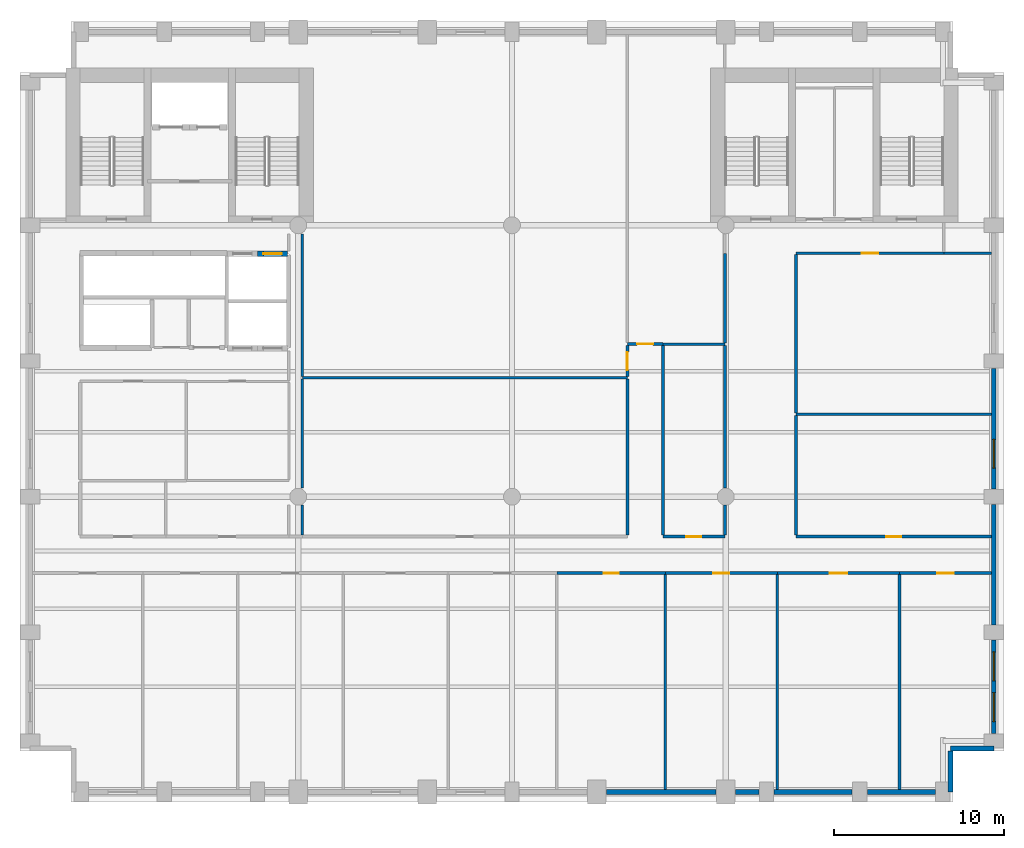
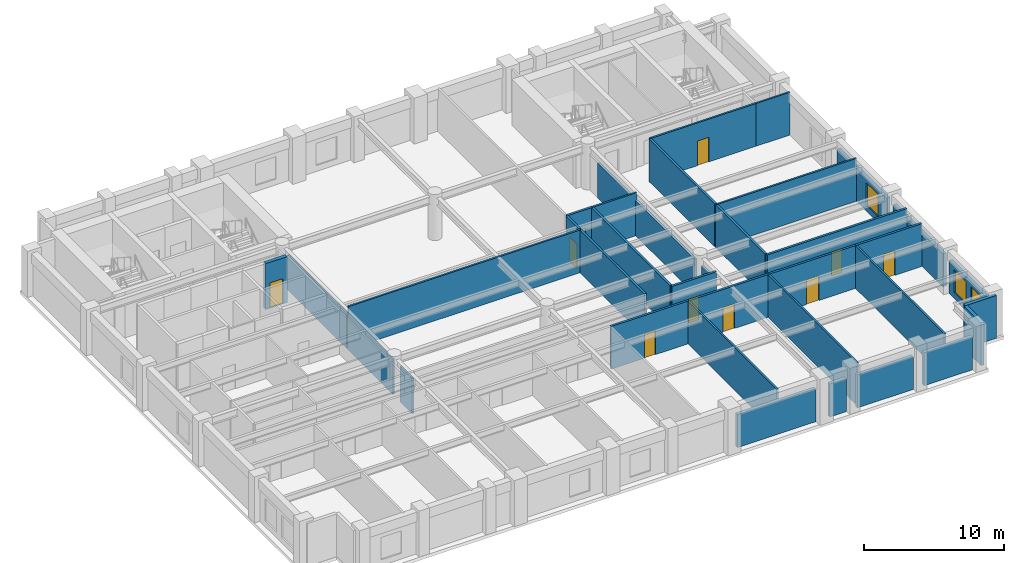
# One storey, part 4 of 8: 36 walls, 10 doors, 3 windows, 13 openings.
"""IFC4 building model written with IfcOpenShell, lengths in metres."""

from ifc_helpers import new_model, si_unit, direction, frame, frame_2d, origin, place, context, subcontext, project, spatial, rectangle, extrude, material, layer, layer_set, type_object, element, fill, save


model = new_model("IFC4")

# Units and contexts
model_context = context("Model", 3, precision=1e-05, world=origin(), true_north=direction((0.0, 1.0)))
body_context = subcontext(model_context, "Body", "Model", "MODEL_VIEW")
ifc_project = project(units=[si_unit("LENGTHUNIT", "METRE"), si_unit("AREAUNIT", "SQUARE_METRE"), si_unit("VOLUMEUNIT", "CUBIC_METRE"), si_unit("PLANEANGLEUNIT", "RADIAN"), si_unit("MASSUNIT", "GRAM", prefix="KILO")], contexts=[model_context])

# Site, building, storey
site_placement = place(None, origin())
site = spatial("IfcSite", under=ifc_project, at=site_placement, CompositionType="ELEMENT")
building_placement = place(site_placement, origin())
building = spatial("IfcBuilding", under=site, at=building_placement, Name="Sulina Concourse Tower", CompositionType="ELEMENT")
storey_placement = place(building_placement, frame((0.0, 0.0, 152.60009765625)))
storey = spatial("IfcBuildingStorey", under=building, at=storey_placement, Name="L37", CompositionType="ELEMENT", Elevation=152.60009765625)

# Wall, opening, door
ifc_material_1 = material(Name="Concrete C50/60", Category="concrete")
ifc_layer_1 = layer(ifc_material_1, 0.300048828125)
ifc_layer_set_1 = layer_set([ifc_layer_1], Name="Concrete C50/60")
wall_type_1 = type_object("IfcWallType", Name="Core Lift Hoistway Wall 300mm", PredefinedType="SOLIDWALL", material=ifc_layer_set_1)
wall_1_placement = place(storey_placement, frame((14.0, 32.320068359375, 0.0), z_axis=(0.0, 0.0, 1.0), x_axis=(1.0, 0.0, 0.0)))
wall_1 = element("IfcWall", 1, at=wall_1_placement, inside=storey, type_object=wall_type_1, Name="L37 hoistway enclosure wall LP-08", PredefinedType="SOLIDWALL", context=body_context, shape_type="SweptSolid", body=[
    extrude(rectangle(XDim=1.780029296875, YDim=0.300048828125, at=frame_2d((0.89013671875, 0.0))), origin(), (0.0, 0.0, 1.0), 4.0),
])
opening_1_placement = place(wall_1_placement, frame((0.340087890625, 0.0, 0.0)))
opening_1 = element("IfcOpeningElement", 2, at=opening_1_placement, cuts=wall_1, Name="Opening LD-01", PredefinedType="OPENING", context=body_context, shape_type="SweptSolid", body=[
    extrude(rectangle(XDim=1.10009765625, YDim=2.199951171875, at=frame_2d((0.550048828125, 1.10009765625))), frame((0.0, 0.159912109375, 0.0), z_axis=(0.0, -1.0, 0.0), x_axis=(1.0, 0.0, 0.0)), (0.0, 0.0, 1.0), 0.320068359375),
])
ifc_material_2 = material(Name="Stainless steel lift landing door", Category="steel")
ifc_layer_2 = layer(ifc_material_2, 0.050048828125)
ifc_layer_set_2 = layer_set([ifc_layer_2], Name="Stainless steel lift landing door")
door_type_1 = type_object("IfcDoorType", Name="Passenger Lift Sliding Landing Door 1100x2200", OperationType="SLIDING_TO_LEFT", PredefinedType="DOOR", material=ifc_layer_set_2)
door_1_placement = place(opening_1_placement, origin())
door_1 = element("IfcDoor", 3, at=door_1_placement, inside=storey, type_object=door_type_1, Name="L37 lift landing sliding door LP-08", OperationType="SLIDING_TO_RIGHT", OverallHeight=2.199951171875, OverallWidth=1.10009765625, PredefinedType="DOOR", context=body_context, shape_type="SweptSolid", body=[
    extrude(rectangle(XDim=1.10009765625, YDim=2.199951171875, at=frame_2d((0.550048828125, 1.10009765625))), frame((0.0, 0.02490234375, 0.0), z_axis=(0.0, -1.0, 0.0), x_axis=(1.0, 0.0, 0.0)), (0.0, 0.0, 1.0), 0.050048828125),
])
fill(opening_1, door_1)

# Walls
ifc_material_3 = material(Name="Gypsum board on steel stud", Category="steel")
ifc_layer_3 = layer(ifc_material_3, 0.14990234375)
ifc_layer_set_3 = layer_set([ifc_layer_3], Name="Gypsum board on steel stud")
wall_type_2 = type_object("IfcWallType", Name="Inter-Tenancy Acoustic Partition 150mm", PredefinedType="PARTITIONING", material=ifc_layer_set_3)
wall_2_placement = place(storey_placement, frame((45.75, 22.85009765625, 0.0), z_axis=(0.0, 0.0, 1.0), x_axis=(1.0, 0.0, 0.0)))
element("IfcWall", 4, at=wall_2_placement, inside=storey, type_object=wall_type_2, Name="L37 interior partition 019", PredefinedType="PARTITIONING", context=body_context, shape_type="SweptSolid", body=[
    extrude(rectangle(XDim=11.510009765625, YDim=0.14990234375, at=frame_2d((5.7548828125, 0.0))), origin(), (0.0, 0.0, 1.0), 3.724853515625),
])
wall_3_placement = place(storey_placement, frame((16.64990234375, 25.0, 0.0), z_axis=(0.0, 0.0, 1.0), x_axis=(1.0, 0.0, 0.0)))
element("IfcWall", 5, at=wall_3_placement, inside=storey, type_object=wall_type_2, Name="L37 interior partition 022", PredefinedType="PARTITIONING", context=body_context, shape_type="SweptSolid", body=[
    extrude(rectangle(XDim=19.150146484375, YDim=0.14990234375, at=frame_2d((9.5751953125, 0.0))), origin(), (0.0, 0.0, 1.0), 3.724853515625),
])
wall_4_placement = place(storey_placement, frame((37.89990234375, 27.0, 0.0), z_axis=(0.0, 0.0, 1.0), x_axis=(1.0, 0.0, 0.0)))
element("IfcWall", 6, at=wall_4_placement, inside=storey, type_object=wall_type_2, Name="L37 interior partition 026", PredefinedType="PARTITIONING", context=body_context, shape_type="SweptSolid", body=[
    extrude(rectangle(XDim=3.650146484375, YDim=0.14990234375, at=frame_2d((1.8251953125, 0.0))), origin(), (0.0, 0.0, 1.0), 3.724853515625),
])

# Wall, opening, door
wall_5_placement = place(storey_placement, frame((45.75, 32.35009765625, 0.0), z_axis=(0.0, 0.0, 1.0), x_axis=(1.0, 0.0, 0.0)))
wall_5 = element("IfcWall", 7, at=wall_5_placement, inside=storey, type_object=wall_type_2, Name="L37 interior partition 027", PredefinedType="PARTITIONING", context=body_context, shape_type="SweptSolid", body=[
    extrude(rectangle(XDim=8.699951171875, YDim=0.14990234375, at=frame_2d((4.35009765625, 0.0))), origin(), (0.0, 0.0, 1.0), 3.724853515625),
])
opening_2_placement = place(wall_5_placement, frame((3.875, 0.0, 0.0)))
opening_2 = element("IfcOpeningElement", 8, at=opening_2_placement, cuts=wall_5, Name="Opening DR-19", PredefinedType="OPENING", context=body_context, shape_type="SweptSolid", body=[
    extrude(rectangle(XDim=0.949951171875, YDim=2.14990234375, at=frame_2d((0.47509765625, 1.074951171875))), frame((0.0, 0.0849609375, 0.0), z_axis=(0.0, -1.0, 0.0), x_axis=(1.0, 0.0, 0.0)), (0.0, 0.0, 1.0), 0.169921875),
])
ifc_material_4 = material(Name="Oak-veneered acoustic timber leaf", Category="wood")
ifc_layer_4 = layer(ifc_material_4, 0.050048828125)
ifc_layer_set_4 = layer_set([ifc_layer_4], Name="Oak-veneered acoustic timber leaf")
door_type_2 = type_object("IfcDoorType", Name="Cellular Office & Meeting Door 950x2150", OperationType="NOTDEFINED", PredefinedType="DOOR", material=ifc_layer_set_4)
door_2_placement = place(opening_2_placement, origin())
door_2 = element("IfcDoor", 9, at=door_2_placement, inside=storey, type_object=door_type_2, Name="L37 interior door L37-NE2", OperationType="SINGLE_SWING_RIGHT", OverallHeight=2.14990234375, OverallWidth=0.949951171875, PredefinedType="DOOR", context=body_context, shape_type="SweptSolid", body=[
    extrude(rectangle(XDim=0.949951171875, YDim=2.14990234375, at=frame_2d((0.47509765625, 1.074951171875))), frame((0.0, 0.02490234375, 0.0), z_axis=(0.0, -1.0, 0.0), x_axis=(1.0, 0.0, 0.0)), (0.0, 0.0, 1.0), 0.050048828125),
])
fill(opening_2, door_2)

# Walls
wall_6_placement = place(storey_placement, frame((54.449951171875, 32.35009765625, 0.0), z_axis=(0.0, 0.0, 1.0), x_axis=(1.0, 0.0, 0.0)))
element("IfcWall", 10, at=wall_6_placement, inside=storey, type_object=wall_type_2, Name="L37 interior partition 028", PredefinedType="PARTITIONING", context=body_context, shape_type="SweptSolid", body=[
    extrude(rectangle(XDim=2.81005859375, YDim=0.14990234375, at=frame_2d((1.405029296875, 0.0))), origin(), (0.0, 0.0, 1.0), 3.724853515625),
])
wall_7_placement = place(storey_placement, frame((16.64990234375, 15.739990234375, 0.0), z_axis=(0.0, 0.0, 1.0), x_axis=(0.0, 1.0, 0.0)))
element("IfcWall", 11, at=wall_7_placement, inside=storey, type_object=wall_type_2, Name="L37 interior partition 043", PredefinedType="PARTITIONING", context=body_context, shape_type="SweptSolid", body=[
    extrude(rectangle(XDim=1.760009765625, YDim=0.14990234375, at=frame_2d((0.8798828125, 0.0))), origin(), (0.0, 0.0, 1.0), 3.06982421875),
])
wall_8_placement = place(storey_placement, frame((16.64990234375, 18.5, 0.0), z_axis=(0.0, 0.0, 1.0), x_axis=(0.0, 1.0, 0.0)))
element("IfcWall", 12, at=wall_8_placement, inside=storey, type_object=wall_type_2, Name="L37 interior partition 044", PredefinedType="PARTITIONING", context=body_context, shape_type="SweptSolid", body=[
    extrude(rectangle(XDim=6.425048828125, YDim=0.14990234375, at=frame_2d((3.21240234375, 0.0))), origin(), (0.0, 0.0, 1.0), 3.06982421875),
])
wall_9_placement = place(storey_placement, frame((16.64990234375, 25.074951171875, 0.0), z_axis=(0.0, 0.0, 1.0), x_axis=(0.0, 1.0, 0.0)))
element("IfcWall", 13, at=wall_9_placement, inside=storey, type_object=wall_type_2, Name="L37 interior partition 045", PredefinedType="PARTITIONING", context=body_context, shape_type="SweptSolid", body=[
    extrude(rectangle(XDim=8.425048828125, YDim=0.14990234375, at=frame_2d((4.21240234375, 0.0))), origin(), (0.0, 0.0, 1.0), 3.06982421875),
])
for number, where, z_axis, x_axis, name in (
    (14, (38.0400390625, 0.739990234375, 0.0), (0.0, 0.0, 1.0), (0.0, 1.0, 0.0), "L37 interior partition 053"),
    (15, (44.639892578125, 0.739990234375, 0.0), (0.0, 0.0, 1.0), (0.0, 1.0, 0.0), "L37 interior partition 059"),
    (16, (51.840087890625, 0.739990234375, 0.0), (0.0, 0.0, 1.0), (0.0, 1.0, 0.0), "L37 interior partition 063"),
):
    element("IfcWall", number, at=place(storey_placement, frame(where, z_axis=z_axis, x_axis=x_axis)), inside=storey, type_object=wall_type_2, Name=name, PredefinedType="PARTITIONING", context=body_context, shape_type="SweptSolid", body=[
        extrude(rectangle(XDim=12.669921875, YDim=0.14990234375, at=frame_2d((6.3349609375, 0.0))), origin(), (0.0, 0.0, 1.0), 3.724853515625),
    ])

# Wall, opening, door
ifc_material_5 = material(Name="Gypsum board on steel stud", Category="steel")
ifc_layer_5 = layer(ifc_material_5, 0.179931640625)
ifc_layer_set_5 = layer_set([ifc_layer_5], Name="Gypsum board on steel stud")
wall_type_3 = type_object("IfcWallType", Name="Protected Corridor & Riser Partition 180mm", PredefinedType="PARTITIONING", material=ifc_layer_set_5)
wall_10_placement = place(storey_placement, frame((31.639892578125, 13.5, 0.0), z_axis=(0.0, 0.0, 1.0), x_axis=(1.0, 0.0, 0.0)))
wall_10 = element("IfcWall", 17, at=wall_10_placement, inside=storey, type_object=wall_type_3, Name="L37 interior partition 006", PredefinedType="PARTITIONING", context=body_context, shape_type="SweptSolid", body=[
    extrude(rectangle(XDim=6.400146484375, YDim=0.179931640625, at=frame_2d((3.2001953125, 0.0))), origin(), (0.0, 0.0, 1.0), 3.724853515625),
])
opening_3_placement = place(wall_10_placement, frame((2.760009765625, 0.0, 0.0)))
opening_3 = element("IfcOpeningElement", 18, at=opening_3_placement, cuts=wall_10, Name="Opening DR-38", PredefinedType="OPENING", context=body_context, shape_type="SweptSolid", body=[
    extrude(rectangle(XDim=0.8798828125, YDim=2.10009765625, at=frame_2d((0.43994140625, 1.050048828125))), frame((0.0, 0.099853515625, 0.0), z_axis=(0.0, -1.0, 0.0), x_axis=(1.0, 0.0, 0.0)), (0.0, 0.0, 1.0), 0.199951171875),
])
ifc_material_6 = material(Name="Galvanised steel acoustic fire leaf", Category="steel")
ifc_layer_6 = layer(ifc_material_6, 0.050048828125)
ifc_layer_set_6 = layer_set([ifc_layer_6], Name="Galvanised steel acoustic fire leaf")
door_type_3 = type_object("IfcDoorType", Name="Service Riser Fire Door 880x2100", OperationType="NOTDEFINED", PredefinedType="DOOR", material=ifc_layer_set_6)
door_3_placement = place(opening_3_placement, origin())
door_3 = element("IfcDoor", 19, at=door_3_placement, inside=storey, type_object=door_type_3, Name="L37 interior door L37-S06", OperationType="SINGLE_SWING_LEFT", OverallHeight=2.10009765625, OverallWidth=0.8798828125, PredefinedType="DOOR", context=body_context, shape_type="SweptSolid", body=[
    extrude(rectangle(XDim=0.8798828125, YDim=2.10009765625, at=frame_2d((0.43994140625, 1.050048828125))), frame((0.0, 0.02490234375, 0.0), z_axis=(0.0, -1.0, 0.0), x_axis=(1.0, 0.0, 0.0)), (0.0, 0.0, 1.0), 0.050048828125),
])
fill(opening_3, door_3)

wall_11_placement = place(storey_placement, frame((38.0400390625, 13.5, 0.0), z_axis=(0.0, 0.0, 1.0), x_axis=(1.0, 0.0, 0.0)))
wall_11 = element("IfcWall", 20, at=wall_11_placement, inside=storey, type_object=wall_type_3, Name="L37 interior partition 007", PredefinedType="PARTITIONING", context=body_context, shape_type="SweptSolid", body=[
    extrude(rectangle(XDim=6.599853515625, YDim=0.179931640625, at=frame_2d((3.2998046875, 0.0))), origin(), (0.0, 0.0, 1.0), 3.724853515625),
])
opening_4_placement = place(wall_11_placement, frame((2.824951171875, 0.0, 0.0)))
opening_4 = element("IfcOpeningElement", 21, at=opening_4_placement, cuts=wall_11, Name="Opening DR-19", PredefinedType="OPENING", context=body_context, shape_type="SweptSolid", body=[
    extrude(rectangle(XDim=0.949951171875, YDim=2.14990234375, at=frame_2d((0.47509765625, 1.074951171875))), frame((0.0, 0.099853515625, 0.0), z_axis=(0.0, -1.0, 0.0), x_axis=(1.0, 0.0, 0.0)), (0.0, 0.0, 1.0), 0.199951171875),
])
door_4_placement = place(opening_4_placement, origin())
door_4 = element("IfcDoor", 22, at=door_4_placement, inside=storey, type_object=door_type_2, Name="L37 interior door L37-S07", OperationType="SINGLE_SWING_RIGHT", OverallHeight=2.14990234375, OverallWidth=0.949951171875, PredefinedType="DOOR", context=body_context, shape_type="SweptSolid", body=[
    extrude(rectangle(XDim=0.949951171875, YDim=2.14990234375, at=frame_2d((0.47509765625, 1.074951171875))), frame((0.0, 0.02490234375, 0.0), z_axis=(0.0, -1.0, 0.0), x_axis=(1.0, 0.0, 0.0)), (0.0, 0.0, 1.0), 0.050048828125),
])
fill(opening_4, door_4)

wall_12_placement = place(storey_placement, frame((44.639892578125, 13.5, 0.0), z_axis=(0.0, 0.0, 1.0), x_axis=(1.0, 0.0, 0.0)))
wall_12 = element("IfcWall", 23, at=wall_12_placement, inside=storey, type_object=wall_type_3, Name="L37 interior partition 008", PredefinedType="PARTITIONING", context=body_context, shape_type="SweptSolid", body=[
    extrude(rectangle(XDim=7.2001953125, YDim=0.179931640625, at=frame_2d((3.60009765625, 0.0))), origin(), (0.0, 0.0, 1.0), 3.724853515625),
])
opening_5_placement = place(wall_12_placement, frame((3.074951171875, 0.0, 0.0)))
opening_5 = element("IfcOpeningElement", 24, at=opening_5_placement, cuts=wall_12, Name="Opening DR-37", PredefinedType="OPENING", context=body_context, shape_type="SweptSolid", body=[
    extrude(rectangle(XDim=1.050048828125, YDim=2.14990234375, at=frame_2d((0.52490234375, 1.074951171875))), frame((0.0, 0.099853515625, 0.0), z_axis=(0.0, -1.0, 0.0), x_axis=(1.0, 0.0, 0.0)), (0.0, 0.0, 1.0), 0.199951171875),
])
ifc_material_7 = material(Name="Oak-veneered fire door leaf")
ifc_layer_7 = layer(ifc_material_7, 0.050048828125)
ifc_layer_set_7 = layer_set([ifc_layer_7], Name="Oak-veneered fire door leaf")
door_type_4 = type_object("IfcDoorType", Name="Tenant Suite Entrance Fire Door 1050x2150", OperationType="NOTDEFINED", PredefinedType="DOOR", material=ifc_layer_set_7)
door_5_placement = place(opening_5_placement, origin())
door_5 = element("IfcDoor", 25, at=door_5_placement, inside=storey, type_object=door_type_4, Name="L37 interior door L37-S08", OperationType="SINGLE_SWING_LEFT", OverallHeight=2.14990234375, OverallWidth=1.050048828125, PredefinedType="DOOR", context=body_context, shape_type="SweptSolid", body=[
    extrude(rectangle(XDim=1.050048828125, YDim=2.14990234375, at=frame_2d((0.52490234375, 1.074951171875))), frame((0.0, 0.02490234375, 0.0), z_axis=(0.0, -1.0, 0.0), x_axis=(1.0, 0.0, 0.0)), (0.0, 0.0, 1.0), 0.050048828125),
])
fill(opening_5, door_5)

wall_13_placement = place(storey_placement, frame((51.840087890625, 13.5, 0.0), z_axis=(0.0, 0.0, 1.0), x_axis=(1.0, 0.0, 0.0)))
wall_13 = element("IfcWall", 26, at=wall_13_placement, inside=storey, type_object=wall_type_3, Name="L37 interior partition 009", PredefinedType="PARTITIONING", context=body_context, shape_type="SweptSolid", body=[
    extrude(rectangle(XDim=5.419921875, YDim=0.179931640625, at=frame_2d((2.7099609375, 0.0))), origin(), (0.0, 0.0, 1.0), 3.724853515625),
])
opening_6_placement = place(wall_13_placement, frame((2.235107421875, 0.0, 0.0)))
opening_6 = element("IfcOpeningElement", 27, at=opening_6_placement, cuts=wall_13, Name="Opening DR-19", PredefinedType="OPENING", context=body_context, shape_type="SweptSolid", body=[
    extrude(rectangle(XDim=0.949951171875, YDim=2.14990234375, at=frame_2d((0.47509765625, 1.074951171875))), frame((0.0, 0.099853515625, 0.0), z_axis=(0.0, -1.0, 0.0), x_axis=(1.0, 0.0, 0.0)), (0.0, 0.0, 1.0), 0.199951171875),
])
door_6_placement = place(opening_6_placement, origin())
door_6 = element("IfcDoor", 28, at=door_6_placement, inside=storey, type_object=door_type_2, Name="L37 interior door L37-S09", OperationType="SINGLE_SWING_RIGHT", OverallHeight=2.14990234375, OverallWidth=0.949951171875, PredefinedType="DOOR", context=body_context, shape_type="SweptSolid", body=[
    extrude(rectangle(XDim=0.949951171875, YDim=2.14990234375, at=frame_2d((0.47509765625, 1.074951171875))), frame((0.0, 0.02490234375, 0.0), z_axis=(0.0, -1.0, 0.0), x_axis=(1.0, 0.0, 0.0)), (0.0, 0.0, 1.0), 0.050048828125),
])
fill(opening_6, door_6)

wall_14_placement = place(storey_placement, frame((37.89990234375, 15.64990234375, 0.0), z_axis=(0.0, 0.0, 1.0), x_axis=(1.0, 0.0, 0.0)))
wall_14 = element("IfcWall", 29, at=wall_14_placement, inside=storey, type_object=wall_type_3, Name="L37 interior partition 014", PredefinedType="PARTITIONING", context=body_context, shape_type="SweptSolid", body=[
    extrude(rectangle(XDim=3.650146484375, YDim=0.179931640625, at=frame_2d((1.8251953125, 0.0))), origin(), (0.0, 0.0, 1.0), 3.724853515625),
])
opening_7_placement = place(wall_14_placement, frame((1.385009765625, 0.0, 0.0)))
opening_7 = element("IfcOpeningElement", 30, at=opening_7_placement, cuts=wall_14, Name="Opening DR-38", PredefinedType="OPENING", context=body_context, shape_type="SweptSolid", body=[
    extrude(rectangle(XDim=0.8798828125, YDim=2.10009765625, at=frame_2d((0.43994140625, 1.050048828125))), frame((0.0, 0.099853515625, 0.0), z_axis=(0.0, -1.0, 0.0), x_axis=(1.0, 0.0, 0.0)), (0.0, 0.0, 1.0), 0.199951171875),
])
door_7_placement = place(opening_7_placement, origin())
door_7 = element("IfcDoor", 31, at=door_7_placement, inside=storey, type_object=door_type_3, Name="L37 interior door L37-NC3", OperationType="SINGLE_SWING_RIGHT", OverallHeight=2.10009765625, OverallWidth=0.8798828125, PredefinedType="DOOR", context=body_context, shape_type="SweptSolid", body=[
    extrude(rectangle(XDim=0.8798828125, YDim=2.10009765625, at=frame_2d((0.43994140625, 1.050048828125))), frame((0.0, 0.02490234375, 0.0), z_axis=(0.0, -1.0, 0.0), x_axis=(1.0, 0.0, 0.0)), (0.0, 0.0, 1.0), 0.050048828125),
])
fill(opening_7, door_7)

wall_15_placement = place(storey_placement, frame((45.75, 15.64990234375, 0.0), z_axis=(0.0, 0.0, 1.0), x_axis=(1.0, 0.0, 0.0)))
wall_15 = element("IfcWall", 32, at=wall_15_placement, inside=storey, type_object=wall_type_3, Name="L37 interior partition 015", PredefinedType="PARTITIONING", context=body_context, shape_type="SweptSolid", body=[
    extrude(rectangle(XDim=11.510009765625, YDim=0.179931640625, at=frame_2d((5.7548828125, 0.0))), origin(), (0.0, 0.0, 1.0), 3.724853515625),
])
opening_8_placement = place(wall_15_placement, frame((5.31494140625, 0.0, 0.0)))
opening_8 = element("IfcOpeningElement", 33, at=opening_8_placement, cuts=wall_15, Name="Opening DR-38", PredefinedType="OPENING", context=body_context, shape_type="SweptSolid", body=[
    extrude(rectangle(XDim=0.8798828125, YDim=2.10009765625, at=frame_2d((0.43994140625, 1.050048828125))), frame((0.0, 0.099853515625, 0.0), z_axis=(0.0, -1.0, 0.0), x_axis=(1.0, 0.0, 0.0)), (0.0, 0.0, 1.0), 0.199951171875),
])
door_8_placement = place(opening_8_placement, origin())
door_8 = element("IfcDoor", 34, at=door_8_placement, inside=storey, type_object=door_type_3, Name="L37 interior door L37-NE1", OperationType="SINGLE_SWING_LEFT", OverallHeight=2.10009765625, OverallWidth=0.8798828125, PredefinedType="DOOR", context=body_context, shape_type="SweptSolid", body=[
    extrude(rectangle(XDim=0.8798828125, YDim=2.10009765625, at=frame_2d((0.43994140625, 1.050048828125))), frame((0.0, 0.02490234375, 0.0), z_axis=(0.0, -1.0, 0.0), x_axis=(1.0, 0.0, 0.0)), (0.0, 0.0, 1.0), 0.050048828125),
])
fill(opening_8, door_8)

wall_16_placement = place(storey_placement, frame((35.800048828125, 27.0, 0.0), z_axis=(0.0, 0.0, 1.0), x_axis=(1.0, 0.0, 0.0)))
wall_16 = element("IfcWall", 35, at=wall_16_placement, inside=storey, type_object=wall_type_3, Name="L37 interior partition 025", PredefinedType="PARTITIONING", context=body_context, shape_type="SweptSolid", body=[
    extrude(rectangle(XDim=2.099853515625, YDim=0.179931640625, at=frame_2d((1.0498046875, 0.0))), origin(), (0.0, 0.0, 1.0), 3.724853515625),
])
opening_9_placement = place(wall_16_placement, frame((0.574951171875, 0.0, 0.0)))
opening_9 = element("IfcOpeningElement", 36, at=opening_9_placement, cuts=wall_16, Name="Opening DR-19", PredefinedType="OPENING", context=body_context, shape_type="SweptSolid", body=[
    extrude(rectangle(XDim=0.949951171875, YDim=2.14990234375, at=frame_2d((0.47509765625, 1.074951171875))), frame((0.0, 0.099853515625, 0.0), z_axis=(0.0, -1.0, 0.0), x_axis=(1.0, 0.0, 0.0)), (0.0, 0.0, 1.0), 0.199951171875),
])
door_9_placement = place(opening_9_placement, origin())
door_9 = element("IfcDoor", 37, at=door_9_placement, inside=storey, type_object=door_type_2, Name="L37 interior door L37-NC4", OperationType="SINGLE_SWING_LEFT", OverallHeight=2.14990234375, OverallWidth=0.949951171875, PredefinedType="DOOR", context=body_context, shape_type="SweptSolid", body=[
    extrude(rectangle(XDim=0.949951171875, YDim=2.14990234375, at=frame_2d((0.47509765625, 1.074951171875))), frame((0.0, 0.02490234375, 0.0), z_axis=(0.0, -1.0, 0.0), x_axis=(1.0, 0.0, 0.0)), (0.0, 0.0, 1.0), 0.050048828125),
])
fill(opening_9, door_9)

# Wall
wall_17_placement = place(storey_placement, frame((35.800048828125, 15.739990234375, 0.0), z_axis=(0.0, 0.0, 1.0), x_axis=(0.0, 1.0, 0.0)))
element("IfcWall", 38, at=wall_17_placement, inside=storey, type_object=wall_type_3, Name="L37 interior partition 049", PredefinedType="PARTITIONING", context=body_context, shape_type="SweptSolid", body=[
    extrude(rectangle(XDim=9.18505859375, YDim=0.179931640625, at=frame_2d((4.592529296875, 0.0))), origin(), (0.0, 0.0, 1.0), 3.724853515625),
])

# Wall, opening, door
wall_18_placement = place(storey_placement, frame((35.800048828125, 25.074951171875, 0.0), z_axis=(0.0, 0.0, 1.0), x_axis=(0.0, 1.0, 0.0)))
wall_18 = element("IfcWall", 39, at=wall_18_placement, inside=storey, type_object=wall_type_3, Name="L37 interior partition 050", PredefinedType="PARTITIONING", context=body_context, shape_type="SweptSolid", body=[
    extrude(rectangle(XDim=1.8349609375, YDim=0.179931640625, at=frame_2d((0.91748046875, 0.0))), origin(), (0.0, 0.0, 1.0), 3.724853515625),
])
opening_10_placement = place(wall_18_placement, frame((0.392578125, 0.0, 0.0)))
opening_10 = element("IfcOpeningElement", 40, at=opening_10_placement, cuts=wall_18, Name="Opening DR-37", PredefinedType="OPENING", context=body_context, shape_type="SweptSolid", body=[
    extrude(rectangle(XDim=1.050048828125, YDim=2.14990234375, at=frame_2d((0.52490234375, 1.074951171875))), frame((0.0, 0.099853515625, 0.0), z_axis=(0.0, -1.0, 0.0), x_axis=(1.0, 0.0, 0.0)), (0.0, 0.0, 1.0), 0.199951171875),
])
door_10_placement = place(opening_10_placement, origin())
door_10 = element("IfcDoor", 41, at=door_10_placement, inside=storey, type_object=door_type_4, Name="L37 interior door L37-NC2", OperationType="SINGLE_SWING_LEFT", OverallHeight=2.14990234375, OverallWidth=1.050048828125, PredefinedType="DOOR", context=body_context, shape_type="SweptSolid", body=[
    extrude(rectangle(XDim=1.050048828125, YDim=2.14990234375, at=frame_2d((0.52490234375, 1.074951171875))), frame((0.0, 0.02490234375, 0.0), z_axis=(0.0, -1.0, 0.0), x_axis=(1.0, 0.0, 0.0)), (0.0, 0.0, 1.0), 0.050048828125),
])
fill(opening_10, door_10)

# Walls
wall_19_placement = place(storey_placement, frame((37.89990234375, 15.739990234375, 0.0), z_axis=(0.0, 0.0, 1.0), x_axis=(0.0, 1.0, 0.0)))
element("IfcWall", 42, at=wall_19_placement, inside=storey, type_object=wall_type_3, Name="L37 interior partition 052", PredefinedType="PARTITIONING", context=body_context, shape_type="SweptSolid", body=[
    extrude(rectangle(XDim=11.169921875, YDim=0.179931640625, at=frame_2d((5.5849609375, 0.0))), origin(), (0.0, 0.0, 1.0), 3.724853515625),
])
wall_20_placement = place(storey_placement, frame((41.550048828125, 15.739990234375, 0.0), z_axis=(0.0, 0.0, 1.0), x_axis=(0.0, 1.0, 0.0)))
element("IfcWall", 43, at=wall_20_placement, inside=storey, type_object=wall_type_3, Name="L37 interior partition 054", PredefinedType="PARTITIONING", context=body_context, shape_type="SweptSolid", body=[
    extrude(rectangle(XDim=1.760009765625, YDim=0.179931640625, at=frame_2d((0.8798828125, 0.0))), origin(), (0.0, 0.0, 1.0), 3.06982421875),
])
wall_21_placement = place(storey_placement, frame((41.550048828125, 18.5, 0.0), z_axis=(0.0, 0.0, 1.0), x_axis=(0.0, 1.0, 0.0)))
element("IfcWall", 44, at=wall_21_placement, inside=storey, type_object=wall_type_3, Name="L37 interior partition 055", PredefinedType="PARTITIONING", context=body_context, shape_type="SweptSolid", body=[
    extrude(rectangle(XDim=8.425048828125, YDim=0.179931640625, at=frame_2d((4.21240234375, 0.0))), origin(), (0.0, 0.0, 1.0), 3.06982421875),
])
wall_22_placement = place(storey_placement, frame((41.550048828125, 27.074951171875, 0.0), z_axis=(0.0, 0.0, 1.0), x_axis=(0.0, 1.0, 0.0)))
element("IfcWall", 45, at=wall_22_placement, inside=storey, type_object=wall_type_3, Name="L37 interior partition 056", PredefinedType="PARTITIONING", context=body_context, shape_type="SweptSolid", body=[
    extrude(rectangle(XDim=5.275146484375, YDim=0.179931640625, at=frame_2d((2.6376953125, 0.0))), origin(), (0.0, 0.0, 1.0), 3.06982421875),
])
wall_23_placement = place(storey_placement, frame((45.75, 15.739990234375, 0.0), z_axis=(0.0, 0.0, 1.0), x_axis=(0.0, 1.0, 0.0)))
element("IfcWall", 46, at=wall_23_placement, inside=storey, type_object=wall_type_3, Name="L37 interior partition 060", PredefinedType="PARTITIONING", context=body_context, shape_type="SweptSolid", body=[
    extrude(rectangle(XDim=7.034912109375, YDim=0.179931640625, at=frame_2d((3.517578125, 0.0))), origin(), (0.0, 0.0, 1.0), 3.724853515625),
])
wall_24_placement = place(storey_placement, frame((45.75, 22.925048828125, 0.0), z_axis=(0.0, 0.0, 1.0), x_axis=(0.0, 1.0, 0.0)))
element("IfcWall", 47, at=wall_24_placement, inside=storey, type_object=wall_type_3, Name="L37 interior partition 061", PredefinedType="PARTITIONING", context=body_context, shape_type="SweptSolid", body=[
    extrude(rectangle(XDim=9.349853515625, YDim=0.179931640625, at=frame_2d((4.6748046875, 0.0))), origin(), (0.0, 0.0, 1.0), 3.724853515625),
])
ifc_material_8 = material(Name="Precast concrete C50/60", Category="concrete")
ifc_layer_8 = layer(ifc_material_8, 0.280029296875)
ifc_layer_set_8 = layer_set([ifc_layer_8], Name="Precast concrete C50/60")
wall_type_4 = type_object("IfcWallType", Name="Typical Precast Masonry-Frame Facade Wall 280mm", PredefinedType="SOLIDWALL", material=ifc_layer_set_8)
wall_25_placement = place(storey_placement, frame((41.030029296875, 0.60009765625, 0.0), z_axis=(0.0, 0.0, 1.0), x_axis=(-1.0, 0.0, 0.0)))
element("IfcWall", 48, at=wall_25_placement, inside=storey, type_object=wall_type_4, Name="L37 exterior precast wall S7", PredefinedType="SOLIDWALL", context=body_context, shape_type="SweptSolid", body=[
    extrude(rectangle(XDim=6.4599609375, YDim=0.280029296875, at=frame_2d((3.22998046875, 0.0))), origin(), (0.0, 0.0, 1.0), 2.875),
])
wall_26_placement = place(storey_placement, frame((43.554931640625, 0.60009765625, 0.0), z_axis=(0.0, 0.0, 1.0), x_axis=(-1.0, 0.0, 0.0)))
element("IfcWall", 49, at=wall_26_placement, inside=storey, type_object=wall_type_4, Name="L37 exterior precast wall S8", PredefinedType="SOLIDWALL", context=body_context, shape_type="SweptSolid", body=[
    extrude(rectangle(XDim=1.385009765625, YDim=0.280029296875, at=frame_2d((0.6923828125, 0.0))), origin(), (0.0, 0.0, 1.0), 2.875),
])
wall_27_placement = place(storey_placement, frame((49.054931640625, 0.60009765625, 0.0), z_axis=(0.0, 0.0, 1.0), x_axis=(-1.0, 0.0, 0.0)))
element("IfcWall", 50, at=wall_27_placement, inside=storey, type_object=wall_type_4, Name="L37 exterior precast wall S9", PredefinedType="SOLIDWALL", context=body_context, shape_type="SweptSolid", body=[
    extrude(rectangle(XDim=4.60986328125, YDim=0.280029296875, at=frame_2d((2.304931640625, 0.0))), origin(), (0.0, 0.0, 1.0), 2.875),
])
wall_28_placement = place(storey_placement, frame((53.955078125, 0.60009765625, 0.0), z_axis=(0.0, 0.0, 1.0), x_axis=(-1.0, 0.0, 0.0)))
element("IfcWall", 51, at=wall_28_placement, inside=storey, type_object=wall_type_4, Name="L37 exterior precast wall S10", PredefinedType="SOLIDWALL", context=body_context, shape_type="SweptSolid", body=[
    extrude(rectangle(XDim=4.010009765625, YDim=0.280029296875, at=frame_2d((2.0048828125, 0.0))), origin(), (0.0, 0.0, 1.0), 2.875),
])

# Wall, openings, windows
wall_29_placement = place(storey_placement, frame((57.39990234375, 9.554931640625, 0.0), z_axis=(0.0, 0.0, 1.0), x_axis=(0.0, -1.0, 0.0)))
wall_29 = element("IfcWall", 52, at=wall_29_placement, inside=storey, type_object=wall_type_4, Name="L37 exterior precast wall E1", PredefinedType="SOLIDWALL", context=body_context, shape_type="SweptSolid", body=[
    extrude(rectangle(XDim=5.510009765625, YDim=0.280029296875, at=frame_2d((2.7548828125, 0.0))), origin(), (0.0, 0.0, 1.0), 2.875),
])
opening_11_placement = place(wall_29_placement, frame((0.703369140625, 0.0, 0.5)))
opening_11 = element("IfcOpeningElement", 53, at=opening_11_placement, cuts=wall_29, Name="Opening WN-66", PredefinedType="OPENING", context=body_context, shape_type="SweptSolid", body=[
    extrude(rectangle(XDim=1.699951171875, YDim=1.949951171875, at=frame_2d((0.85009765625, 0.97509765625))), frame((0.0, 0.14990234375, 0.0), z_axis=(0.0, -1.0, 0.0), x_axis=(1.0, 0.0, 0.0)), (0.0, 0.0, 1.0), 0.300048828125),
])
opening_12_placement = place(wall_29_placement, frame((3.106689453125, 0.0, 0.5)))
opening_12 = element("IfcOpeningElement", 54, at=opening_12_placement, cuts=wall_29, Name="Opening WN-66", PredefinedType="OPENING", context=body_context, shape_type="SweptSolid", body=[
    extrude(rectangle(XDim=1.699951171875, YDim=1.949951171875, at=frame_2d((0.85009765625, 0.97509765625))), frame((0.0, 0.14990234375, 0.0), z_axis=(0.0, -1.0, 0.0), x_axis=(1.0, 0.0, 0.0)), (0.0, 0.0, 1.0), 0.300048828125),
])
ifc_material_9 = material(Name="Low-E solar double glazing in bronze aluminium", Category="aluminium")
window_type = type_object("IfcWindowType", Name="Recessed Spandrel Window 1700x1950", PartitioningType="SINGLE_PANEL", PredefinedType="WINDOW", material=ifc_material_9)
window_1_placement = place(opening_11_placement, origin())
window_1 = element("IfcWindow", 55, at=window_1_placement, inside=storey, type_object=window_type, Name="L37 punched window E1-1", OverallHeight=1.949951171875, OverallWidth=1.699951171875, PartitioningType="SINGLE_PANEL", PredefinedType="WINDOW", context=body_context, shape_type="SweptSolid", body=[
    extrude(rectangle(XDim=1.699951171875, YDim=1.949951171875, at=frame_2d((0.85009765625, 0.97509765625))), frame((0.0, 0.030029296875, 0.0), z_axis=(0.0, -1.0, 0.0), x_axis=(1.0, 0.0, 0.0)), (0.0, 0.0, 1.0), 0.06005859375),
])
fill(opening_11, window_1)
window_2_placement = place(opening_12_placement, origin())
window_2 = element("IfcWindow", 56, at=window_2_placement, inside=storey, type_object=window_type, Name="L37 punched window E1-2", OverallHeight=1.949951171875, OverallWidth=1.699951171875, PartitioningType="SINGLE_PANEL", PredefinedType="WINDOW", context=body_context, shape_type="SweptSolid", body=[
    extrude(rectangle(XDim=1.699951171875, YDim=1.949951171875, at=frame_2d((0.85009765625, 0.97509765625))), frame((0.0, 0.030029296875, 0.0), z_axis=(0.0, -1.0, 0.0), x_axis=(1.0, 0.0, 0.0)), (0.0, 0.0, 1.0), 0.06005859375),
])
fill(opening_12, window_2)

# Wall
wall_30_placement = place(storey_placement, frame((57.39990234375, 17.554931640625, 0.0), z_axis=(0.0, 0.0, 1.0), x_axis=(0.0, -1.0, 0.0)))
element("IfcWall", 57, at=wall_30_placement, inside=storey, type_object=wall_type_4, Name="L37 exterior precast wall E2", PredefinedType="SOLIDWALL", context=body_context, shape_type="SweptSolid", body=[
    extrude(rectangle(XDim=7.10986328125, YDim=0.280029296875, at=frame_2d((3.554931640625, 0.0))), origin(), (0.0, 0.0, 1.0), 2.875),
])

# Wall, opening, window
wall_31_placement = place(storey_placement, frame((57.39990234375, 25.554931640625, 0.0), z_axis=(0.0, 0.0, 1.0), x_axis=(0.0, -1.0, 0.0)))
wall_31 = element("IfcWall", 58, at=wall_31_placement, inside=storey, type_object=wall_type_4, Name="L37 exterior precast wall E3", PredefinedType="SOLIDWALL", context=body_context, shape_type="SweptSolid", body=[
    extrude(rectangle(XDim=7.10986328125, YDim=0.280029296875, at=frame_2d((3.554931640625, 0.0))), origin(), (0.0, 0.0, 1.0), 2.875),
])
opening_13_placement = place(wall_31_placement, frame((4.17333984375, 0.0, 0.5)))
opening_13 = element("IfcOpeningElement", 59, at=opening_13_placement, cuts=wall_31, Name="Opening WN-66", PredefinedType="OPENING", context=body_context, shape_type="SweptSolid", body=[
    extrude(rectangle(XDim=1.699951171875, YDim=1.949951171875, at=frame_2d((0.85009765625, 0.97509765625))), frame((0.0, 0.14990234375, 0.0), z_axis=(0.0, -1.0, 0.0), x_axis=(1.0, 0.0, 0.0)), (0.0, 0.0, 1.0), 0.300048828125),
])
window_3_placement = place(opening_13_placement, origin())
window_3 = element("IfcWindow", 60, at=window_3_placement, inside=storey, type_object=window_type, Name="L37 punched window E3-1", OverallHeight=1.949951171875, OverallWidth=1.699951171875, PartitioningType="SINGLE_PANEL", PredefinedType="WINDOW", context=body_context, shape_type="SweptSolid", body=[
    extrude(rectangle(XDim=1.699951171875, YDim=1.949951171875, at=frame_2d((0.85009765625, 0.97509765625))), frame((0.0, 0.030029296875, 0.0), z_axis=(0.0, -1.0, 0.0), x_axis=(1.0, 0.0, 0.0)), (0.0, 0.0, 1.0), 0.06005859375),
])
fill(opening_13, window_3)

# Walls
wall_32_placement = place(storey_placement, frame((57.39990234375, 3.155029296875, 0.0), z_axis=(0.0, 0.0, 1.0), x_axis=(-1.0, 0.0, 0.0)))
element("IfcWall", 61, at=wall_32_placement, inside=storey, type_object=wall_type_4, Name="L37 exterior precast wall CSE1", PredefinedType="SOLIDWALL", context=body_context, shape_type="SweptSolid", body=[
    extrude(rectangle(XDim=2.554931640625, YDim=0.280029296875, at=frame_2d((1.27734375, 0.0))), origin(), (0.0, 0.0, 1.0), 3.724853515625),
])
wall_33_placement = place(storey_placement, frame((54.844970703125, 3.010009765625, 0.0), z_axis=(0.0, 0.0, 1.0), x_axis=(0.0, -1.0, 0.0)))
element("IfcWall", 62, at=wall_33_placement, inside=storey, type_object=wall_type_4, Name="L37 exterior precast wall CSE2", PredefinedType="SOLIDWALL", context=body_context, shape_type="SweptSolid", body=[
    extrude(rectangle(XDim=2.409912109375, YDim=0.280029296875, at=frame_2d((1.205078125, 0.0))), origin(), (0.0, 0.0, 1.0), 3.724853515625),
])

save(model, "model.ifc")
